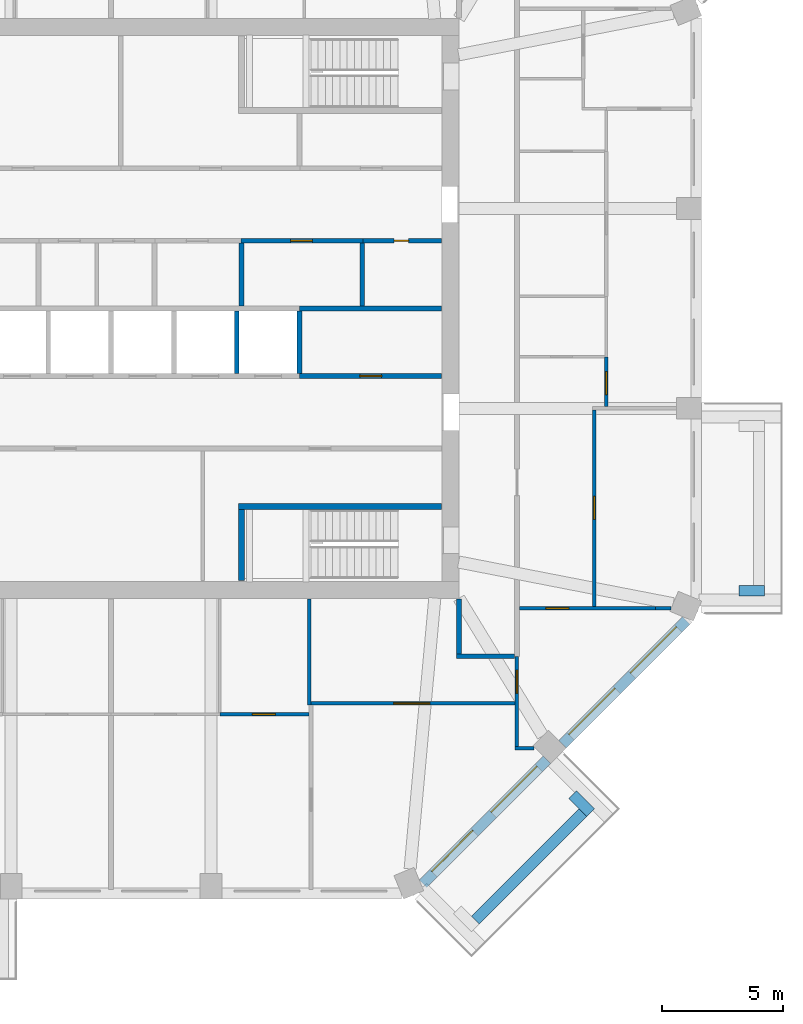
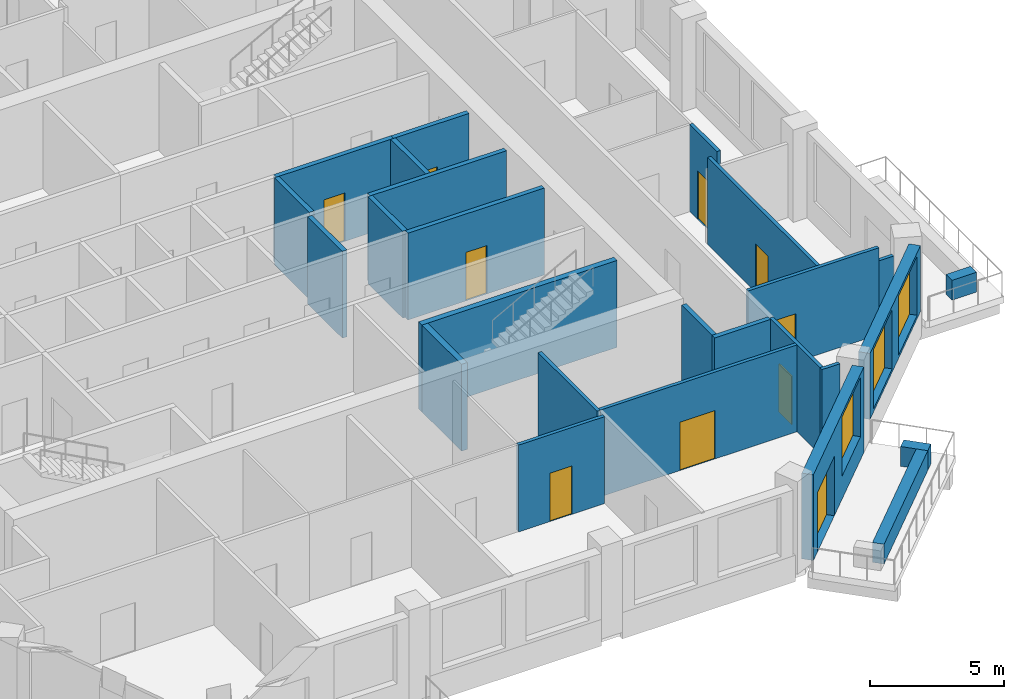
# One storey, part 5 of 10: 26 walls, 10 doors, 3 windows, 13 openings.
"""IFC4 building model written with IfcOpenShell, lengths in metres."""

from ifc_helpers import new_model, si_unit, direction, frame, frame_2d, origin, place, context, subcontext, project, spatial, rectangle, extrude, material, layer, layer_set, type_object, element, fill, save


model = new_model("IFC4")

# Units and contexts
model_context = context("Model", 3, precision=1e-05, world=origin(), true_north=direction((0.0, 1.0)))
body_context = subcontext(model_context, "Body", "Model", "MODEL_VIEW")
ifc_project = project(units=[si_unit("LENGTHUNIT", "METRE"), si_unit("AREAUNIT", "SQUARE_METRE"), si_unit("VOLUMEUNIT", "CUBIC_METRE"), si_unit("PLANEANGLEUNIT", "RADIAN"), si_unit("MASSUNIT", "GRAM", prefix="KILO")], contexts=[model_context])

# Site, building, storey
site_placement = place(None, origin())
site = spatial("IfcSite", under=ifc_project, at=site_placement, CompositionType="ELEMENT")
building_placement = place(site_placement, origin())
building = spatial("IfcBuilding", under=site, at=building_placement, Name="Msitu Wima Residences", CompositionType="ELEMENT")
storey_placement = place(building_placement, frame((0.0, 0.0, 187.5)))
storey = spatial("IfcBuildingStorey", under=building, at=storey_placement, Name="L43", CompositionType="ELEMENT", Elevation=187.5)

# Walls
ifc_material_1 = material(Name="Facing brick")
ifc_layer_1 = layer(ifc_material_1, 0.06494140625, Name="Facing brick")
ifc_material_2 = material(Name="Concrete C40/50", Category="concrete")
ifc_layer_2 = layer(ifc_material_2, 0.156005859375, Name="Concrete C40/50")
ifc_material_3 = material(Name="Waterproofing membrane")
ifc_layer_3 = layer(ifc_material_3, 0.00390625, Name="Waterproofing membrane")
ifc_material_4 = material(Name="Planting soil and planting")
ifc_layer_4 = layer(ifc_material_4, 0.22509765625, Name="Planting soil and planting")
ifc_layer_set_1 = layer_set([ifc_layer_1, ifc_layer_2, ifc_layer_3, ifc_layer_4], Name="Concrete C40/50")
wall_type_1 = type_object("IfcWallType", Name="Balcony planter PLANTER PL450", PredefinedType="USERDEFINED", material=ifc_layer_set_1)
wall_1_placement = place(storey_placement, frame((26.0, -11.686767578125, 0.0), z_axis=(0.0, 0.0, 1.0), x_axis=(1.0, 0.0, 0.0)))
element("IfcWall", 1, at=wall_1_placement, inside=storey, type_object=wall_type_1, Name="Balcony planter E0 L43", ObjectType="PLANTER", PredefinedType="USERDEFINED", context=body_context, shape_type="SweptSolid", body=[
    extrude(rectangle(XDim=1.050048828125, YDim=0.449951171875, at=frame_2d((0.52490234375, 0.0))), origin(), (0.0, 0.0, 1.0), 0.89990234375),
])
wall_2_placement = place(storey_placement, frame((15.0810546875, -25.325927734375, 0.0), z_axis=(0.0, 0.0, 1.0), x_axis=(0.707106781187, 0.707106781187, 0.0)))
element("IfcWall", 2, at=wall_2_placement, inside=storey, type_object=wall_type_1, Name="Balcony planter SE0 L43", ObjectType="PLANTER", PredefinedType="USERDEFINED", context=body_context, shape_type="SweptSolid", body=[
    extrude(rectangle(XDim=6.294189453125, YDim=0.449951171875, at=frame_2d((3.14697265625, 0.0))), origin(), (0.0, 0.0, 1.0), 0.89990234375),
])
wall_3_placement = place(storey_placement, frame((19.107421875, -20.1328125, 0.0), z_axis=(0.0, 0.0, 1.0), x_axis=(0.707106781187, -0.707106781187, 0.0)))
element("IfcWall", 3, at=wall_3_placement, inside=storey, type_object=wall_type_1, Name="Balcony planter SE0 L43", ObjectType="PLANTER", PredefinedType="USERDEFINED", context=body_context, shape_type="SweptSolid", body=[
    extrude(rectangle(XDim=1.050048828125, YDim=0.449951171875, at=frame_2d((0.52490234375, 0.0))), origin(), (0.0, 0.0, 1.0), 0.89990234375),
])

# Wall, openings, door, window
ifc_material_5 = material(Name="Brick (red buff mix)", Category="masonry")
ifc_layer_5 = layer(ifc_material_5, 0.449951171875)
ifc_layer_set_2 = layer_set([ifc_layer_5], Name="Brick (red buff mix)")
wall_type_2 = type_object("IfcWallType", Name="Brick infill wall BW450", PredefinedType="SOLIDWALL", material=ifc_layer_set_2)
wall_4_placement = place(storey_placement, frame((12.915283203125, -23.814697265625, 0.0), z_axis=(0.0, 0.0, 1.0), x_axis=(0.707106781187, 0.707106781187, 0.0)))
wall_4 = element("IfcWall", 4, at=wall_4_placement, inside=storey, type_object=wall_type_2, Name="Brick infill wall L43 SE0", PredefinedType="SOLIDWALL", context=body_context, shape_type="SweptSolid", body=[
    extrude(rectangle(XDim=7.257080078125, YDim=0.449951171875, at=frame_2d((3.62841796875, 0.0))), origin(), (0.0, 0.0, 1.0), 3.89990234375),
])
opening_1_placement = place(wall_4_placement, frame((0.6142578125, 0.0, 0.0)))
opening_1 = element("IfcOpeningElement", 5, at=opening_1_placement, cuts=wall_4, Name="Opening D43-45.006", PredefinedType="OPENING", context=body_context, shape_type="SweptSolid", body=[
    extrude(rectangle(XDim=2.39990234375, YDim=2.699951171875, at=frame_2d((1.199951171875, 1.35009765625))), frame((0.0, 0.23486328125, 0.0), z_axis=(0.0, -1.0, 0.0), x_axis=(1.0, 0.0, 0.0)), (0.0, 0.0, 1.0), 0.469970703125),
])
opening_2_placement = place(wall_4_placement, frame((4.07861328125, 0.0, 1.050048828125)))
opening_2 = element("IfcOpeningElement", 6, at=opening_2_placement, cuts=wall_4, Name="Opening W43-45.022", PredefinedType="OPENING", context=body_context, shape_type="SweptSolid", body=[
    extrude(rectangle(XDim=2.699951171875, YDim=2.699951171875, at=frame_2d((1.35009765625, 1.35009765625))), frame((0.0, 0.23486328125, 0.0), z_axis=(0.0, -1.0, 0.0), x_axis=(1.0, 0.0, 0.0)), (0.0, 0.0, 1.0), 0.469970703125),
])
ifc_material_6 = material(Name="Anodised aluminium, bronze finish, clear low-emissivity double glazing", Category="aluminium")
door_type_1 = type_object("IfcDoorType", Name="Balcony door D2400x2700", OperationType="SLIDING_TO_LEFT", PredefinedType="DOOR", material=ifc_material_6)
door_1_placement = place(opening_1_placement, origin())
door_1 = element("IfcDoor", 7, at=door_1_placement, inside=storey, type_object=door_type_1, Name="Balcony door L43 SE0", OperationType="SINGLE_SWING_LEFT", OverallHeight=2.699951171875, OverallWidth=2.39990234375, PredefinedType="DOOR", context=body_context, shape_type="SweptSolid", body=[
    extrude(rectangle(XDim=2.39990234375, YDim=2.699951171875, at=frame_2d((1.199951171875, 1.35009765625))), frame((0.0, 0.1298828125, 0.0), z_axis=(0.0, -1.0, 0.0), x_axis=(1.0, 0.0, 0.0)), (0.0, 0.0, 1.0), 0.050048828125),
])
fill(opening_1, door_1)
window_type = type_object("IfcWindowType", Name="Window W2700x2700", PartitioningType="DOUBLE_PANEL_VERTICAL", PredefinedType="WINDOW", material=ifc_material_6)
window_1_placement = place(opening_2_placement, origin())
window_1 = element("IfcWindow", 8, at=window_1_placement, inside=storey, type_object=window_type, Name="Window L43 SE0.2", OverallHeight=2.699951171875, OverallWidth=2.699951171875, PartitioningType="SINGLE_PANEL", PredefinedType="WINDOW", context=body_context, shape_type="SweptSolid", body=[
    extrude(rectangle(XDim=2.699951171875, YDim=2.699951171875, at=frame_2d((1.35009765625, 1.35009765625))), frame((0.0, 0.135009765625, 0.0), z_axis=(0.0, -1.0, 0.0), x_axis=(1.0, 0.0, 0.0)), (0.0, 0.0, 1.0), 0.06005859375),
])
fill(opening_2, window_1)

# Wall, openings, windows
wall_5_placement = place(storey_placement, frame((18.68310546875, -18.046875, 0.89990234375), z_axis=(0.0, 0.0, 1.0), x_axis=(0.707106781187, 0.707106781187, 0.0)))
wall_5 = element("IfcWall", 9, at=wall_5_placement, inside=storey, type_object=wall_type_2, Name="Brick infill wall L43 SE1", PredefinedType="SOLIDWALL", context=body_context, shape_type="SweptSolid", body=[
    extrude(rectangle(XDim=7.257080078125, YDim=0.449951171875, at=frame_2d((3.62841796875, 0.0))), origin(), (0.0, 0.0, 1.0), 3.0),
])
opening_3_placement = place(wall_5_placement, frame((0.478515625, 0.0, 0.14990234375)))
opening_3 = element("IfcOpeningElement", 10, at=opening_3_placement, cuts=wall_5, Name="Opening W43-45.023", PredefinedType="OPENING", context=body_context, shape_type="SweptSolid", body=[
    extrude(rectangle(XDim=2.699951171875, YDim=2.699951171875, at=frame_2d((1.35009765625, 1.35009765625))), frame((0.0, 0.23486328125, 0.0), z_axis=(0.0, -1.0, 0.0), x_axis=(1.0, 0.0, 0.0)), (0.0, 0.0, 1.0), 0.469970703125),
])
opening_4_placement = place(wall_5_placement, frame((4.07861328125, 0.0, 0.14990234375)))
opening_4 = element("IfcOpeningElement", 11, at=opening_4_placement, cuts=wall_5, Name="Opening W43-45.024", PredefinedType="OPENING", context=body_context, shape_type="SweptSolid", body=[
    extrude(rectangle(XDim=2.699951171875, YDim=2.699951171875, at=frame_2d((1.35009765625, 1.35009765625))), frame((0.0, 0.23486328125, 0.0), z_axis=(0.0, -1.0, 0.0), x_axis=(1.0, 0.0, 0.0)), (0.0, 0.0, 1.0), 0.469970703125),
])
window_2_placement = place(opening_3_placement, origin())
window_2 = element("IfcWindow", 12, at=window_2_placement, inside=storey, type_object=window_type, Name="Window L43 SE1.1", OverallHeight=2.699951171875, OverallWidth=2.699951171875, PartitioningType="SINGLE_PANEL", PredefinedType="WINDOW", context=body_context, shape_type="SweptSolid", body=[
    extrude(rectangle(XDim=2.699951171875, YDim=2.699951171875, at=frame_2d((1.35009765625, 1.35009765625))), frame((0.0, 0.135009765625, 0.0), z_axis=(0.0, -1.0, 0.0), x_axis=(1.0, 0.0, 0.0)), (0.0, 0.0, 1.0), 0.06005859375),
])
fill(opening_3, window_2)
window_3_placement = place(opening_4_placement, origin())
window_3 = element("IfcWindow", 13, at=window_3_placement, inside=storey, type_object=window_type, Name="Window L43 SE1.2", OverallHeight=2.699951171875, OverallWidth=2.699951171875, PartitioningType="SINGLE_PANEL", PredefinedType="WINDOW", context=body_context, shape_type="SweptSolid", body=[
    extrude(rectangle(XDim=2.699951171875, YDim=2.699951171875, at=frame_2d((1.35009765625, 1.35009765625))), frame((0.0, 0.135009765625, 0.0), z_axis=(0.0, -1.0, 0.0), x_axis=(1.0, 0.0, 0.0)), (0.0, 0.0, 1.0), 0.06005859375),
])
fill(opening_4, window_3)

# Wall, opening, door
ifc_material_7 = material(Name="Plaster")
ifc_layer_6 = layer(ifc_material_7, 0.011962890625, Name="Plaster")
ifc_material_8 = material(Name="Concrete blockwork", Category="masonry")
ifc_layer_7 = layer(ifc_material_8, 0.176025390625, Name="Concrete blockwork")
ifc_layer_8 = layer(ifc_material_7, 0.011962890625, Name="Plaster")
ifc_layer_set_3 = layer_set([ifc_layer_6, ifc_layer_7, ifc_layer_8], Name="Concrete blockwork")
wall_type_3 = type_object("IfcWallType", Name="Corridor wall FW200", PredefinedType="PARTITIONING", material=ifc_layer_set_3)
wall_6_placement = place(storey_placement, frame((5.3798828125, 2.800048828125, 0.0), z_axis=(0.0, 0.0, 1.0), x_axis=(1.0, 0.0, 0.0)))
wall_6 = element("IfcWall", 14, at=wall_6_placement, inside=storey, type_object=wall_type_3, Name="Corridor wall", PredefinedType="PARTITIONING", context=body_context, shape_type="SweptSolid", body=[
    extrude(rectangle(XDim=5.0400390625, YDim=0.199951171875, at=frame_2d((2.52001953125, 0.0))), origin(), (0.0, 0.0, 1.0), 3.949951171875),
])
opening_5_placement = place(wall_6_placement, frame((2.050048828125, 0.0, 0.0)))
opening_5 = element("IfcOpeningElement", 15, at=opening_5_placement, cuts=wall_6, Name="Opening D43-45.066", PredefinedType="OPENING", context=body_context, shape_type="SweptSolid", body=[
    extrude(rectangle(XDim=0.89990234375, YDim=2.199951171875, at=frame_2d((0.449951171875, 1.10009765625))), frame((0.0, 0.10986328125, 0.0), z_axis=(0.0, -1.0, 0.0), x_axis=(1.0, 0.0, 0.0)), (0.0, 0.0, 1.0), 0.219970703125),
])
ifc_material_9 = material(Name="Timber flush door", Category="wood")
door_type_2 = type_object("IfcDoorType", Name="Service door D05 900x2200", OperationType="SINGLE_SWING_LEFT", PredefinedType="DOOR", material=ifc_material_9)
door_2_placement = place(opening_5_placement, origin())
door_2 = element("IfcDoor", 16, at=door_2_placement, inside=storey, type_object=door_type_2, Name="Service door", OperationType="SINGLE_SWING_RIGHT", OverallHeight=2.199951171875, OverallWidth=0.89990234375, PredefinedType="DOOR", context=body_context, shape_type="SweptSolid", body=[
    extrude(rectangle(XDim=0.89990234375, YDim=2.199951171875, at=frame_2d((0.449951171875, 1.10009765625))), frame((0.0, 0.02490234375, 0.0), z_axis=(0.0, -1.0, 0.0), x_axis=(1.0, 0.0, 0.0)), (0.0, 0.0, 1.0), 0.050048828125),
])
fill(opening_5, door_2)

# Walls
wall_7_placement = place(storey_placement, frame((14.39990234375, -14.300048828125, 0.0), z_axis=(0.0, 0.0, 1.0), x_axis=(0.0, 1.0, 0.0)))
element("IfcWall", 17, at=wall_7_placement, inside=storey, type_object=wall_type_3, Name="Corridor wall", PredefinedType="PARTITIONING", context=body_context, shape_type="SweptSolid", body=[
    extrude(rectangle(XDim=2.27001953125, YDim=0.199951171875, at=frame_2d((1.135009765625, 0.0))), origin(), (0.0, 0.0, 1.0), 3.949951171875),
])
wall_8_placement = place(storey_placement, frame((14.300048828125, -14.39990234375, 0.0), z_axis=(0.0, 0.0, 1.0), x_axis=(1.0, 0.0, 0.0)))
element("IfcWall", 18, at=wall_8_placement, inside=storey, type_object=wall_type_3, Name="Corridor wall", PredefinedType="PARTITIONING", context=body_context, shape_type="SweptSolid", body=[
    extrude(rectangle(XDim=2.39990234375, YDim=0.199951171875, at=frame_2d((1.199951171875, 0.0))), origin(), (0.0, 0.0, 1.0), 3.949951171875),
])

# Wall, opening, door
ifc_layer_9 = layer(ifc_material_7, 0.011962890625, Name="Plaster")
ifc_layer_10 = layer(ifc_material_8, 0.1259765625, Name="Concrete blockwork")
ifc_layer_11 = layer(ifc_material_7, 0.011962890625, Name="Plaster")
ifc_layer_set_4 = layer_set([ifc_layer_9, ifc_layer_10, ifc_layer_11], Name="Concrete blockwork")
wall_type_4 = type_object("IfcWallType", Name="Partition PW150", PredefinedType="PARTITIONING", material=ifc_layer_set_4)
wall_9_placement = place(storey_placement, frame((4.5, -16.800048828125, 0.0), z_axis=(0.0, 0.0, 1.0), x_axis=(1.0, 0.0, 0.0)))
wall_9 = element("IfcWall", 19, at=wall_9_placement, inside=storey, type_object=wall_type_4, Name="Partition", PredefinedType="PARTITIONING", context=body_context, shape_type="SweptSolid", body=[
    extrude(rectangle(XDim=3.699462890625, YDim=0.14990234375, at=frame_2d((1.849609375, 0.0))), origin(), (0.0, 0.0, 1.0), 3.949951171875),
])
opening_6_placement = place(wall_9_placement, frame((1.35009765625, 0.0, 0.0)))
opening_6 = element("IfcOpeningElement", 20, at=opening_6_placement, cuts=wall_9, Name="Opening D43-45.017", PredefinedType="OPENING", context=body_context, shape_type="SweptSolid", body=[
    extrude(rectangle(XDim=0.949951171875, YDim=2.199951171875, at=frame_2d((0.47509765625, 1.10009765625))), frame((0.0, 0.0849609375, 0.0), z_axis=(0.0, -1.0, 0.0), x_axis=(1.0, 0.0, 0.0)), (0.0, 0.0, 1.0), 0.169921875),
])
door_type_3 = type_object("IfcDoorType", Name="Room door D12 950x2200", OperationType="SINGLE_SWING_LEFT", PredefinedType="DOOR", material=ifc_material_9)
door_3_placement = place(opening_6_placement, origin())
door_3 = element("IfcDoor", 21, at=door_3_placement, inside=storey, type_object=door_type_3, Name="Room door", OperationType="SINGLE_SWING_LEFT", OverallHeight=2.199951171875, OverallWidth=0.949951171875, PredefinedType="DOOR", context=body_context, shape_type="SweptSolid", body=[
    extrude(rectangle(XDim=0.949951171875, YDim=2.199951171875, at=frame_2d((0.47509765625, 1.10009765625))), frame((0.0, 0.02490234375, 0.0), z_axis=(0.0, -1.0, 0.0), x_axis=(1.0, 0.0, 0.0)), (0.0, 0.0, 1.0), 0.050048828125),
])
fill(opening_6, door_3)

# Wall
wall_10_placement = place(storey_placement, frame((8.199951171875, -16.425048828125, 0.0), z_axis=(0.0, 0.0, 1.0), x_axis=(0.0, 1.0, 0.0)))
element("IfcWall", 22, at=wall_10_placement, inside=storey, type_object=wall_type_4, Name="Partition", PredefinedType="PARTITIONING", context=body_context, shape_type="SweptSolid", body=[
    extrude(rectangle(XDim=4.39501953125, YDim=0.14990234375, at=frame_2d((2.197509765625, 0.0))), origin(), (0.0, 0.0, 1.0), 3.949951171875),
])

# Wall, opening, door
wall_11_placement = place(storey_placement, frame((8.199462890625, -16.35009765625, 0.0), z_axis=(0.0, 0.0, 1.0), x_axis=(1.0, 0.0, 0.0)))
wall_11 = element("IfcWall", 23, at=wall_11_placement, inside=storey, type_object=wall_type_4, Name="Partition", PredefinedType="PARTITIONING", context=body_context, shape_type="SweptSolid", body=[
    extrude(rectangle(XDim=8.525634765625, YDim=0.14990234375, at=frame_2d((4.2626953125, 0.0))), origin(), (0.0, 0.0, 1.0), 3.949951171875),
])
opening_7_placement = place(wall_11_placement, frame((3.5, 0.0, 0.0)))
opening_7 = element("IfcOpeningElement", 24, at=opening_7_placement, cuts=wall_11, Name="Opening D43-45.027", PredefinedType="OPENING", context=body_context, shape_type="SweptSolid", body=[
    extrude(rectangle(XDim=1.5, YDim=2.199951171875, at=frame_2d((0.75, 1.10009765625))), frame((0.0, 0.0849609375, 0.0), z_axis=(0.0, -1.0, 0.0), x_axis=(1.0, 0.0, 0.0)), (0.0, 0.0, 1.0), 0.169921875),
])
ifc_material_10 = material(Name="Timber double door", Category="wood")
door_type_4 = type_object("IfcDoorType", Name="Double door D04 1500x2200", OperationType="DOUBLE_DOOR_SINGLE_SWING", PredefinedType="DOOR", material=ifc_material_10)
door_4_placement = place(opening_7_placement, origin())
door_4 = element("IfcDoor", 25, at=door_4_placement, inside=storey, type_object=door_type_4, Name="Double door", OperationType="DOUBLE_DOOR_SINGLE_SWING", OverallHeight=2.199951171875, OverallWidth=1.5, PredefinedType="DOOR", context=body_context, shape_type="SweptSolid", body=[
    extrude(rectangle(XDim=1.5, YDim=2.199951171875, at=frame_2d((0.75, 1.10009765625))), frame((0.0, 0.02490234375, 0.0), z_axis=(0.0, -1.0, 0.0), x_axis=(1.0, 0.0, 0.0)), (0.0, 0.0, 1.0), 0.050048828125),
])
fill(opening_7, door_4)

wall_12_placement = place(storey_placement, frame((16.800048828125, -18.130859375, 0.0), z_axis=(0.0, 0.0, 1.0), x_axis=(0.0, 1.0, 0.0)))
wall_12 = element("IfcWall", 26, at=wall_12_placement, inside=storey, type_object=wall_type_4, Name="Partition", PredefinedType="PARTITIONING", context=body_context, shape_type="SweptSolid", body=[
    extrude(rectangle(XDim=3.73095703125, YDim=0.14990234375, at=frame_2d((1.865478515625, 0.0))), origin(), (0.0, 0.0, 1.0), 3.949951171875),
])
opening_8_placement = place(wall_12_placement, frame((2.199951171875, 0.0, 0.0)))
opening_8 = element("IfcOpeningElement", 27, at=opening_8_placement, cuts=wall_12, Name="Opening D43-45.026", PredefinedType="OPENING", context=body_context, shape_type="SweptSolid", body=[
    extrude(rectangle(XDim=0.949951171875, YDim=2.199951171875, at=frame_2d((0.47509765625, 1.10009765625))), frame((0.0, 0.0849609375, 0.0), z_axis=(0.0, -1.0, 0.0), x_axis=(1.0, 0.0, 0.0)), (0.0, 0.0, 1.0), 0.169921875),
])
door_5_placement = place(opening_8_placement, origin())
door_5 = element("IfcDoor", 28, at=door_5_placement, inside=storey, type_object=door_type_3, Name="Room door", OperationType="SINGLE_SWING_LEFT", OverallHeight=2.199951171875, OverallWidth=0.949951171875, PredefinedType="DOOR", context=body_context, shape_type="SweptSolid", body=[
    extrude(rectangle(XDim=0.949951171875, YDim=2.199951171875, at=frame_2d((0.47509765625, 1.10009765625))), frame((0.0, 0.02490234375, 0.0), z_axis=(0.0, -1.0, 0.0), x_axis=(1.0, 0.0, 0.0)), (0.0, 0.0, 1.0), 0.050048828125),
])
fill(opening_8, door_5)

# Wall
wall_13_placement = place(storey_placement, frame((16.72509765625, -18.205810546875, 0.0), z_axis=(0.0, 0.0, 1.0), x_axis=(1.0, 0.0, 0.0)))
element("IfcWall", 29, at=wall_13_placement, inside=storey, type_object=wall_type_4, Name="Partition", PredefinedType="PARTITIONING", context=body_context, shape_type="SweptSolid", body=[
    extrude(rectangle(XDim=0.784423828125, YDim=0.14990234375, at=frame_2d((0.39208984375, 0.0))), origin(), (0.0, 0.0, 1.0), 3.949951171875),
])

# Wall, opening, door
wall_14_placement = place(storey_placement, frame((16.89990234375, -12.409912109375, 0.0), z_axis=(0.0, 0.0, 1.0), x_axis=(1.0, 0.0, 0.0)))
wall_14 = element("IfcWall", 30, at=wall_14_placement, inside=storey, type_object=wall_type_4, Name="Partition", PredefinedType="PARTITIONING", context=body_context, shape_type="SweptSolid", body=[
    extrude(rectangle(XDim=5.62939453125, YDim=0.14990234375, at=frame_2d((2.814697265625, 0.0))), origin(), (0.0, 0.0, 1.0), 3.949951171875),
])
opening_9_placement = place(wall_14_placement, frame((1.10009765625, 0.0, 0.0)))
opening_9 = element("IfcOpeningElement", 31, at=opening_9_placement, cuts=wall_14, Name="Opening D43-45.009", PredefinedType="OPENING", context=body_context, shape_type="SweptSolid", body=[
    extrude(rectangle(XDim=0.949951171875, YDim=2.199951171875, at=frame_2d((0.47509765625, 1.10009765625))), frame((0.0, 0.0849609375, 0.0), z_axis=(0.0, -1.0, 0.0), x_axis=(1.0, 0.0, 0.0)), (0.0, 0.0, 1.0), 0.169921875),
])
door_6_placement = place(opening_9_placement, origin())
door_6 = element("IfcDoor", 32, at=door_6_placement, inside=storey, type_object=door_type_3, Name="Room door", OperationType="SINGLE_SWING_RIGHT", OverallHeight=2.199951171875, OverallWidth=0.949951171875, PredefinedType="DOOR", context=body_context, shape_type="SweptSolid", body=[
    extrude(rectangle(XDim=0.949951171875, YDim=2.199951171875, at=frame_2d((0.47509765625, 1.10009765625))), frame((0.0, 0.02490234375, 0.0), z_axis=(0.0, -1.0, 0.0), x_axis=(1.0, 0.0, 0.0)), (0.0, 0.0, 1.0), 0.050048828125),
])
fill(opening_9, door_6)

# Wall
wall_15_placement = place(storey_placement, frame((22.529296875, -12.409912109375, 0.0), z_axis=(0.0, 0.0, 1.0), x_axis=(1.0, 0.0, 0.0)))
element("IfcWall", 33, at=wall_15_placement, inside=storey, type_object=wall_type_4, Name="Partition", PredefinedType="PARTITIONING", context=body_context, shape_type="SweptSolid", body=[
    extrude(rectangle(XDim=0.640380859375, YDim=0.14990234375, at=frame_2d((0.3203125, 0.0))), origin(), (0.0, 0.0, 1.0), 3.35009765625),
])

# Wall, opening, door
wall_16_placement = place(storey_placement, frame((20.0, -12.3349609375, 0.0), z_axis=(0.0, 0.0, 1.0), x_axis=(0.0, 1.0, 0.0)))
wall_16 = element("IfcWall", 34, at=wall_16_placement, inside=storey, type_object=wall_type_4, Name="Partition", PredefinedType="PARTITIONING", context=body_context, shape_type="SweptSolid", body=[
    extrude(rectangle(XDim=8.119873046875, YDim=0.14990234375, at=frame_2d((4.06005859375, 0.0))), origin(), (0.0, 0.0, 1.0), 3.949951171875),
])
opening_10_placement = place(wall_16_placement, frame((3.60009765625, 0.0, 0.0)))
opening_10 = element("IfcOpeningElement", 35, at=opening_10_placement, cuts=wall_16, Name="Opening D43-45.022", PredefinedType="OPENING", context=body_context, shape_type="SweptSolid", body=[
    extrude(rectangle(XDim=0.949951171875, YDim=2.199951171875, at=frame_2d((0.47509765625, 1.10009765625))), frame((0.0, 0.0849609375, 0.0), z_axis=(0.0, -1.0, 0.0), x_axis=(1.0, 0.0, 0.0)), (0.0, 0.0, 1.0), 0.169921875),
])
door_7_placement = place(opening_10_placement, origin())
door_7 = element("IfcDoor", 36, at=door_7_placement, inside=storey, type_object=door_type_3, Name="Room door", OperationType="SINGLE_SWING_LEFT", OverallHeight=2.199951171875, OverallWidth=0.949951171875, PredefinedType="DOOR", context=body_context, shape_type="SweptSolid", body=[
    extrude(rectangle(XDim=0.949951171875, YDim=2.199951171875, at=frame_2d((0.47509765625, 1.10009765625))), frame((0.0, 0.02490234375, 0.0), z_axis=(0.0, -1.0, 0.0), x_axis=(1.0, 0.0, 0.0)), (0.0, 0.0, 1.0), 0.050048828125),
])
fill(opening_10, door_7)

wall_17_placement = place(storey_placement, frame((20.5, -4.06494140625, 0.0), z_axis=(0.0, 0.0, 1.0), x_axis=(0.0, 1.0, 0.0)))
wall_17 = element("IfcWall", 37, at=wall_17_placement, inside=storey, type_object=wall_type_4, Name="Partition", PredefinedType="PARTITIONING", context=body_context, shape_type="SweptSolid", body=[
    extrude(rectangle(XDim=2.044921875, YDim=0.14990234375, at=frame_2d((1.0224609375, 0.0))), origin(), (0.0, 0.0, 1.0), 3.949951171875),
])
opening_11_placement = place(wall_17_placement, frame((0.5, 0.0, 0.0)))
opening_11 = element("IfcOpeningElement", 38, at=opening_11_placement, cuts=wall_17, Name="Opening D43-45.023", PredefinedType="OPENING", context=body_context, shape_type="SweptSolid", body=[
    extrude(rectangle(XDim=0.949951171875, YDim=2.199951171875, at=frame_2d((0.47509765625, 1.10009765625))), frame((0.0, 0.0849609375, 0.0), z_axis=(0.0, -1.0, 0.0), x_axis=(1.0, 0.0, 0.0)), (0.0, 0.0, 1.0), 0.169921875),
])
door_8_placement = place(opening_11_placement, origin())
door_8 = element("IfcDoor", 39, at=door_8_placement, inside=storey, type_object=door_type_3, Name="Room door", OperationType="SINGLE_SWING_RIGHT", OverallHeight=2.199951171875, OverallWidth=0.949951171875, PredefinedType="DOOR", context=body_context, shape_type="SweptSolid", body=[
    extrude(rectangle(XDim=0.949951171875, YDim=2.199951171875, at=frame_2d((0.47509765625, 1.10009765625))), frame((0.0, 0.02490234375, 0.0), z_axis=(0.0, -1.0, 0.0), x_axis=(1.0, 0.0, 0.0)), (0.0, 0.0, 1.0), 0.050048828125),
])
fill(opening_11, door_8)

# Wall
ifc_layer_12 = layer(ifc_material_7, 0.011962890625, Name="Plaster")
ifc_material_11 = material(Name="Reinforced concrete blockwork", Category="masonry")
ifc_layer_13 = layer(ifc_material_11, 0.176025390625, Name="Reinforced concrete blockwork")
ifc_layer_14 = layer(ifc_material_7, 0.011962890625, Name="Plaster")
ifc_layer_set_5 = layer_set([ifc_layer_12, ifc_layer_13, ifc_layer_14], Name="Reinforced concrete blockwork")
wall_type_5 = type_object("IfcWallType", Name="Plant and riser wall PL200", PredefinedType="PARTITIONING", material=ifc_layer_set_5)
wall_18_placement = place(storey_placement, frame((5.39990234375, 0.10009765625, 0.0), z_axis=(0.0, 0.0, 1.0), x_axis=(0.0, 1.0, 0.0)))
element("IfcWall", 40, at=wall_18_placement, inside=storey, type_object=wall_type_5, Name="Plant and riser wall", PredefinedType="PARTITIONING", context=body_context, shape_type="SweptSolid", body=[
    extrude(rectangle(XDim=2.599853515625, YDim=0.199951171875, at=frame_2d((1.2998046875, 0.0))), origin(), (0.0, 0.0, 1.0), 3.949951171875),
])

# Wall, opening, door
wall_19_placement = place(storey_placement, frame((7.800048828125, -2.800048828125, 0.0), z_axis=(0.0, 0.0, 1.0), x_axis=(1.0, 0.0, 0.0)))
wall_19 = element("IfcWall", 41, at=wall_19_placement, inside=storey, type_object=wall_type_5, Name="Plant and riser wall", PredefinedType="PARTITIONING", context=body_context, shape_type="SweptSolid", body=[
    extrude(rectangle(XDim=5.869873046875, YDim=0.199951171875, at=frame_2d((2.93505859375, 0.0))), origin(), (0.0, 0.0, 1.0), 3.949951171875),
])
opening_12_placement = place(wall_19_placement, frame((2.5, 0.0, 0.0)))
opening_12 = element("IfcOpeningElement", 42, at=opening_12_placement, cuts=wall_19, Name="Opening D43-45.050", PredefinedType="OPENING", context=body_context, shape_type="SweptSolid", body=[
    extrude(rectangle(XDim=0.89990234375, YDim=2.199951171875, at=frame_2d((0.449951171875, 1.10009765625))), frame((0.0, 0.10986328125, 0.0), z_axis=(0.0, -1.0, 0.0), x_axis=(1.0, 0.0, 0.0)), (0.0, 0.0, 1.0), 0.219970703125),
])
door_9_placement = place(opening_12_placement, origin())
door_9 = element("IfcDoor", 43, at=door_9_placement, inside=storey, type_object=door_type_2, Name="Service door", OperationType="SINGLE_SWING_LEFT", OverallHeight=2.199951171875, OverallWidth=0.89990234375, PredefinedType="DOOR", context=body_context, shape_type="SweptSolid", body=[
    extrude(rectangle(XDim=0.89990234375, YDim=2.199951171875, at=frame_2d((0.449951171875, 1.10009765625))), frame((0.0, 0.02490234375, 0.0), z_axis=(0.0, -1.0, 0.0), x_axis=(1.0, 0.0, 0.0)), (0.0, 0.0, 1.0), 0.050048828125),
])
fill(opening_12, door_9)

# Wall
wall_20_placement = place(storey_placement, frame((7.800048828125, 0.0, 0.0), z_axis=(0.0, 0.0, 1.0), x_axis=(1.0, 0.0, 0.0)))
element("IfcWall", 44, at=wall_20_placement, inside=storey, type_object=wall_type_5, Name="Plant and riser wall", PredefinedType="PARTITIONING", context=body_context, shape_type="SweptSolid", body=[
    extrude(rectangle(XDim=5.869873046875, YDim=0.199951171875, at=frame_2d((2.93505859375, 0.0))), origin(), (0.0, 0.0, 1.0), 3.949951171875),
])

# Wall, opening, door
wall_21_placement = place(storey_placement, frame((10.419921875, 2.800048828125, 0.0), z_axis=(0.0, 0.0, 1.0), x_axis=(1.0, 0.0, 0.0)))
wall_21 = element("IfcWall", 45, at=wall_21_placement, inside=storey, type_object=wall_type_5, Name="Plant and riser wall", PredefinedType="PARTITIONING", context=body_context, shape_type="SweptSolid", body=[
    extrude(rectangle(XDim=3.25, YDim=0.199951171875, at=frame_2d((1.625, 0.0))), origin(), (0.0, 0.0, 1.0), 3.949951171875),
])
opening_13_placement = place(wall_21_placement, frame((1.300048828125, 0.0, 0.0)))
opening_13 = element("IfcOpeningElement", 46, at=opening_13_placement, cuts=wall_21, Name="Opening D43-45.067", PredefinedType="OPENING", context=body_context, shape_type="SweptSolid", body=[
    extrude(rectangle(XDim=0.60009765625, YDim=2.0, at=frame_2d((0.300048828125, 1.0))), frame((0.0, 0.10986328125, 0.0), z_axis=(0.0, -1.0, 0.0), x_axis=(1.0, 0.0, 0.0)), (0.0, 0.0, 1.0), 0.219970703125),
])
ifc_material_12 = material(Name="Steel access door, fire resisting", Category="steel")
door_type_5 = type_object("IfcDoorType", Name="Riser access door D08 600x2000", OperationType="SINGLE_SWING_LEFT", PredefinedType="DOOR", material=ifc_material_12)
door_10_placement = place(opening_13_placement, origin())
door_10 = element("IfcDoor", 47, at=door_10_placement, inside=storey, type_object=door_type_5, Name="Riser access door", OperationType="SINGLE_SWING_RIGHT", OverallHeight=2.0, OverallWidth=0.60009765625, PredefinedType="DOOR", context=body_context, shape_type="SweptSolid", body=[
    extrude(rectangle(XDim=0.60009765625, YDim=2.0, at=frame_2d((0.300048828125, 1.0))), frame((0.0, 0.02490234375, 0.0), z_axis=(0.0, -1.0, 0.0), x_axis=(1.0, 0.0, 0.0)), (0.0, 0.0, 1.0), 0.050048828125),
])
fill(opening_13, door_10)

# Walls
wall_22_placement = place(storey_placement, frame((10.39990234375, 0.10009765625, 0.0), z_axis=(0.0, 0.0, 1.0), x_axis=(0.0, 1.0, 0.0)))
element("IfcWall", 48, at=wall_22_placement, inside=storey, type_object=wall_type_5, Name="Plant and riser wall", PredefinedType="PARTITIONING", context=body_context, shape_type="SweptSolid", body=[
    extrude(rectangle(XDim=2.599853515625, YDim=0.199951171875, at=frame_2d((1.2998046875, 0.0))), origin(), (0.0, 0.0, 1.0), 3.949951171875),
])
ifc_material_13 = material(Name="Fire-rated board")
ifc_layer_15 = layer(ifc_material_13, 0.02490234375, Name="Fire-rated board")
ifc_material_14 = material(Name="Light-gauge stud framing with mineral wool")
ifc_layer_16 = layer(ifc_material_14, 0.14990234375, Name="Light-gauge stud framing with mineral wool")
ifc_layer_17 = layer(ifc_material_13, 0.02490234375, Name="Fire-rated board")
ifc_layer_set_6 = layer_set([ifc_layer_15, ifc_layer_16, ifc_layer_17], Name="Light-gauge stud framing with mineral wool")
wall_type_6 = type_object("IfcWallType", Name="Shaft wall SH200", PredefinedType="PARTITIONING", material=ifc_layer_set_6)
for number, where, z_axis, x_axis, name in (
    (49, (5.199951171875, -2.699951171875, 0.0), (0.0, 0.0, 1.0), (0.0, 1.0, 0.0), "Shaft wall"),
    (50, (7.800048828125, -2.699951171875, 0.0), (0.0, 0.0, 1.0), (0.0, 1.0, 0.0), "Shaft wall"),
):
    element("IfcWall", number, at=place(storey_placement, frame(where, z_axis=z_axis, x_axis=x_axis)), inside=storey, type_object=wall_type_6, Name=name, PredefinedType="PARTITIONING", context=body_context, shape_type="SweptSolid", body=[
        extrude(rectangle(XDim=2.599853515625, YDim=0.199951171875, at=frame_2d((1.2998046875, 0.0))), origin(), (0.0, 0.0, 1.0), 3.949951171875),
    ])
ifc_material_15 = material(Name="Concrete C50/60", Category="concrete")
ifc_layer_18 = layer(ifc_material_15, 0.25)
ifc_layer_set_7 = layer_set([ifc_layer_18], Name="Concrete C50/60")
wall_type_7 = type_object("IfcWallType", Name="Stair enclosure wall SW250", PredefinedType="SHEAR", material=ifc_layer_set_7)
wall_23_placement = place(storey_placement, frame((5.39990234375, -11.27001953125, 0.0), z_axis=(0.0, 0.0, 1.0), x_axis=(0.0, 1.0, 0.0)))
element("IfcWall", 51, at=wall_23_placement, inside=storey, type_object=wall_type_7, Name="Stair enclosure wall", PredefinedType="SHEAR", context=body_context, shape_type="SweptSolid", body=[
    extrude(rectangle(XDim=2.945068359375, YDim=0.25, at=frame_2d((1.47265625, 0.0))), origin(), (0.0, 0.0, 1.0), 3.949951171875),
])
wall_24_placement = place(storey_placement, frame((5.27490234375, -8.199951171875, 0.0), z_axis=(0.0, 0.0, 1.0), x_axis=(1.0, 0.0, 0.0)))
element("IfcWall", 52, at=wall_24_placement, inside=storey, type_object=wall_type_7, Name="Stair enclosure wall", PredefinedType="SHEAR", context=body_context, shape_type="SweptSolid", body=[
    extrude(rectangle(XDim=8.39501953125, YDim=0.25, at=frame_2d((4.197509765625, 0.0))), origin(), (0.0, 0.0, 1.0), 3.949951171875),
])

save(model, "model.ifc")
